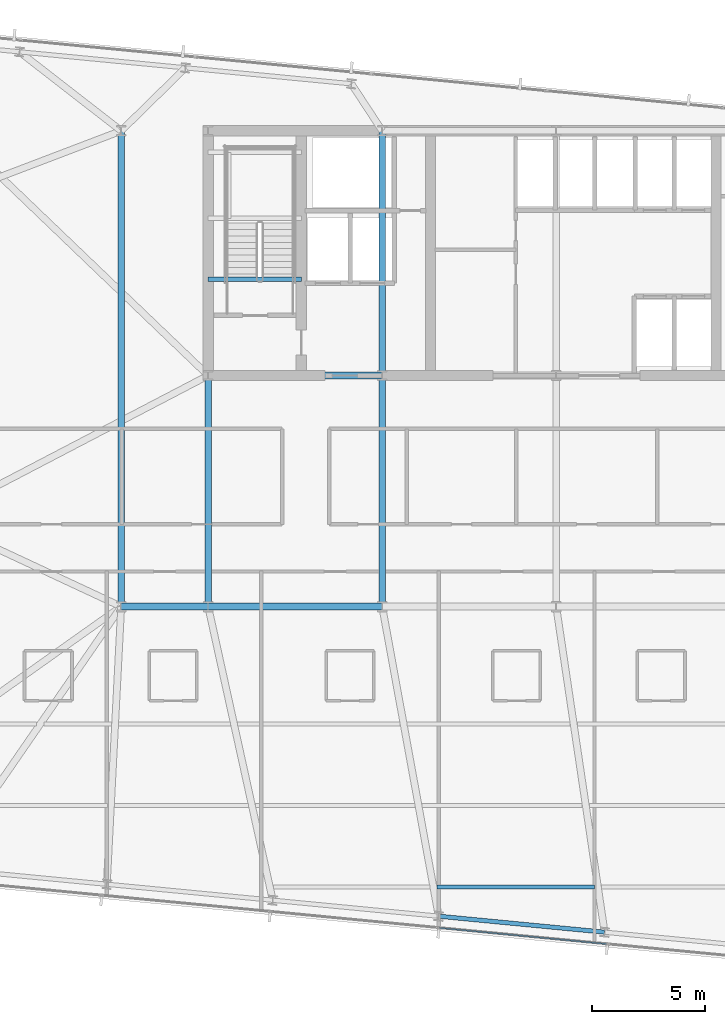
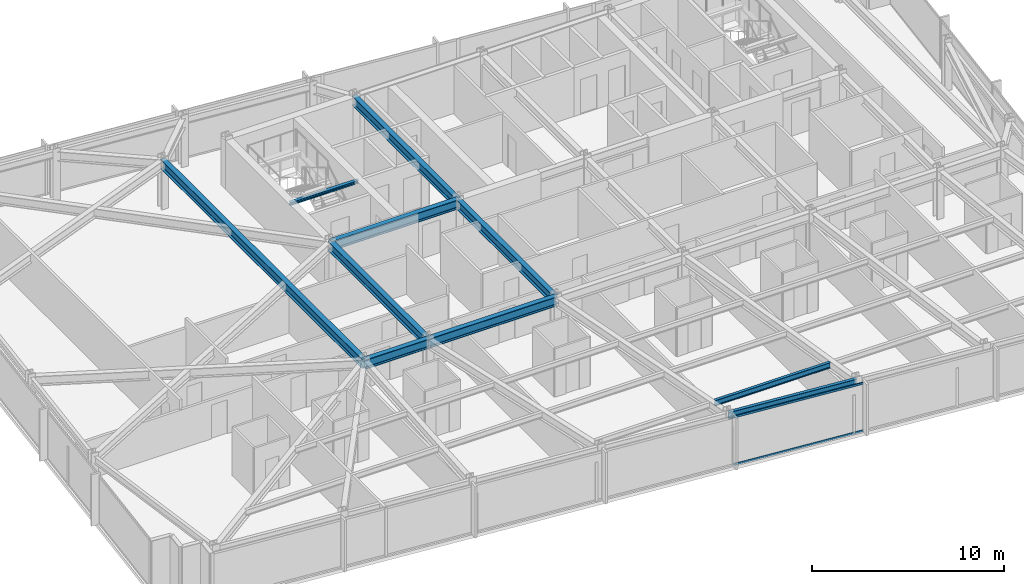
# One storey, part 11 of 37: 10 beams, 2 members, 1 element without a shape of its own.
"""IFC4 building model written with IfcOpenShell, lengths in metres."""

from ifc_helpers import new_model, si_unit, direction, frame, origin, origin_2d, place, context, subcontext, project, spatial, hollow_rectangle, i_section, extrude, material, material_profile, profile_set, type_object, element, aggregate, save


model = new_model("IFC4")

# Units and contexts
model_context = context("Model", 3, precision=1e-05, world=origin(), true_north=direction((0.0, 1.0)))
body_context = subcontext(model_context, "Body", "Model", "MODEL_VIEW")
ifc_project = project(units=[si_unit("LENGTHUNIT", "METRE"), si_unit("AREAUNIT", "SQUARE_METRE"), si_unit("VOLUMEUNIT", "CUBIC_METRE"), si_unit("PLANEANGLEUNIT", "RADIAN"), si_unit("MASSUNIT", "GRAM", prefix="KILO")], contexts=[model_context])

# Site, building, storey
site_placement = place(None, origin())
site = spatial("IfcSite", under=ifc_project, at=site_placement, CompositionType="ELEMENT")
building_placement = place(site_placement, origin())
building = spatial("IfcBuilding", under=site, at=building_placement, Name="Yelkora Congress Tower", CompositionType="ELEMENT")
storey_placement = place(building_placement, frame((0.0, 0.0, 175.39990234375)))
storey = spatial("IfcBuildingStorey", under=building, at=storey_placement, Name="L48", CompositionType="ELEMENT", Elevation=175.39990234375)

# Beams
ifc_material_1 = material(Name="Steel S355J2", Category="steel")
ifc_material_profile_1 = material_profile(ifc_material_1, i_section(OverallWidth=0.300048828125, OverallDepth=0.60009765625, WebThickness=0.015380859375, FlangeThickness=0.030029296875, FilletRadius=0.027099609375, at=origin_2d()), Name="HEB 600")
ifc_profile_set_1 = profile_set([ifc_material_profile_1], Name="Steel S355J2")
beam_type_1 = type_object("IfcBeamType", Name="BM-GIRD-HEB600", PredefinedType="BEAM", material=ifc_profile_set_1)
beam_1_placement = place(storey_placement, frame((19.199951171875, 25.199951171875, 2.780029296875), z_axis=(1.0, 0.0, 0.0), x_axis=(0.0, 1.0, 0.0)))
element("IfcBeam", 1, at=beam_1_placement, inside=storey, type_object=beam_type_1, Name="L48 Spine Grid D Girder 1", PredefinedType="BEAM", context=body_context, shape_type="SweptSolid", body=[
    extrude(i_section(OverallWidth=0.300048828125, OverallDepth=0.60009765625, WebThickness=0.015380859375, FlangeThickness=0.030029296875, FilletRadius=0.027099609375, at=origin_2d()), origin(), (0.0, 0.0, 1.0), 3.840087890625),
])
for number, where, z_axis, x_axis, name in (
    (2, (23.0400390625, 25.199951171875, 2.780029296875), (1.0, 0.0, 0.0), (0.0, 1.0, 0.0), "L48 Spine Grid D Girder 2"),
    (3, (23.0400390625, 35.39990234375, 2.780029296875), (1.0, 0.0, 0.0), (0.0, 1.0, 0.0), "L48 Core South Girder 1"),
):
    element("IfcBeam", number, at=place(storey_placement, frame(where, z_axis=z_axis, x_axis=x_axis)), inside=storey, type_object=beam_type_1, Name=name, PredefinedType="BEAM", context=body_context, shape_type="SweptSolid", body=[
        extrude(i_section(OverallWidth=0.300048828125, OverallDepth=0.60009765625, WebThickness=0.015380859375, FlangeThickness=0.030029296875, FilletRadius=0.027099609375, at=origin_2d()), origin(), (0.0, 0.0, 1.0), 7.679931640625),
    ])
for number, where, z_axis, x_axis, name in (
    (4, (23.0400390625, 25.199951171875, 2.780029296875), (0.0, 1.0, 0.0), (-1.0, 0.0, 0.0), "L48 Core Tie Girder MC-D1"),
    (5, (30.719970703125, 25.199951171875, 2.780029296875), (0.0, 1.0, 0.0), (-1.0, 0.0, 0.0), "L48 Core Tie Girder MC-D2"),
):
    element("IfcBeam", number, at=place(storey_placement, frame(where, z_axis=z_axis, x_axis=x_axis)), inside=storey, type_object=beam_type_1, Name=name, PredefinedType="BEAM", context=body_context, shape_type="SweptSolid", body=[
        extrude(i_section(OverallWidth=0.300048828125, OverallDepth=0.60009765625, WebThickness=0.015380859375, FlangeThickness=0.030029296875, FilletRadius=0.027099609375, at=origin_2d()), origin(), (0.0, 0.0, 1.0), 10.199951171875),
    ])
beam_2_placement = place(storey_placement, frame((30.719970703125, 35.39990234375, 2.780029296875), z_axis=(0.0, 1.0, 0.0), x_axis=(-1.0, 0.0, 0.0)))
element("IfcBeam", 6, at=beam_2_placement, inside=storey, type_object=beam_type_1, Name="L48 Core Tie Girder MC-S2", PredefinedType="BEAM", context=body_context, shape_type="SweptSolid", body=[
    extrude(i_section(OverallWidth=0.300048828125, OverallDepth=0.60009765625, WebThickness=0.015380859375, FlangeThickness=0.030029296875, FilletRadius=0.027099609375, at=origin_2d()), origin(), (0.0, 0.0, 1.0), 10.800048828125),
])
beam_3_placement = place(storey_placement, frame((19.199951171875, 25.199951171875, 2.780029296875), z_axis=(0.0, 1.0, 0.0), x_axis=(-1.0, 0.0, 0.0)))
element("IfcBeam", 7, at=beam_3_placement, inside=storey, type_object=beam_type_1, Name="L48 Neck Flank Girder MC-F1", PredefinedType="BEAM", context=body_context, shape_type="SweptSolid", body=[
    extrude(i_section(OverallWidth=0.300048828125, OverallDepth=0.60009765625, WebThickness=0.015380859375, FlangeThickness=0.030029296875, FilletRadius=0.027099609375, at=origin_2d()), origin(), (0.0, 0.0, 1.0), 21.0),
])
ifc_material_profile_2 = material_profile(ifc_material_1, i_section(OverallWidth=0.169921875, OverallDepth=0.360107421875, WebThickness=0.008056640625, FlangeThickness=0.0126953125, FilletRadius=0.01806640625, at=origin_2d()), Name="IPE 360")
ifc_profile_set_2 = profile_set([ifc_material_profile_2], Name="Steel S355J2")
beam_type_2 = type_object("IfcBeamType", Name="BM-JOIST-IPE360", PredefinedType="JOIST", material=ifc_profile_set_2)
beam_4_placement = place(storey_placement, frame((33.137939453125, 12.8212890625, 2.900146484375), z_axis=(1.0, 0.0, 0.0), x_axis=(0.0, 1.0, 0.0)))
element("IfcBeam", 8, at=beam_4_placement, inside=storey, type_object=beam_type_2, Name="L48 Composite Floor Joist 2", PredefinedType="JOIST", context=body_context, shape_type="SweptSolid", body=[
    extrude(i_section(OverallWidth=0.169921875, OverallDepth=0.360107421875, WebThickness=0.008056640625, FlangeThickness=0.0126953125, FilletRadius=0.01806640625, at=origin_2d()), origin(), (0.0, 0.0, 1.0), 6.94189453125),
])
ifc_material_profile_3 = material_profile(ifc_material_1, i_section(OverallWidth=0.199951171875, OverallDepth=0.18994140625, WebThickness=0.006591796875, FlangeThickness=0.010009765625, FilletRadius=0.01806640625, at=origin_2d()), Name="HEA 200")
ifc_profile_set_3 = profile_set([ifc_material_profile_3], Name="Steel S355J2")
beam_type_3 = type_object("IfcBeamType", Name="BM-LAND-HEA200", PredefinedType="BEAM", material=ifc_profile_set_3)
beam_5_placement = place(storey_placement, frame((23.0400390625, 39.639892578125, 2.85400390625), z_axis=(1.0, 0.0, 0.0), x_axis=(0.0, 1.0, 0.0)))
element("IfcBeam", 9, at=beam_5_placement, inside=storey, type_object=beam_type_3, Name="ST-01 L48 Floor Arrival Stringer Header Beam", PredefinedType="BEAM", context=body_context, shape_type="SweptSolid", body=[
    extrude(i_section(OverallWidth=0.199951171875, OverallDepth=0.18994140625, WebThickness=0.006591796875, FlangeThickness=0.010009765625, FilletRadius=0.01806640625, at=origin_2d()), origin(), (0.0, 0.0, 1.0), 4.10986328125),
])
ifc_material_profile_4 = material_profile(ifc_material_1, i_section(OverallWidth=0.18994140625, OverallDepth=0.449951171875, WebThickness=0.009521484375, FlangeThickness=0.0146484375, FilletRadius=0.02099609375, at=origin_2d()), Name="IPE 450")
ifc_profile_set_4 = profile_set([ifc_material_profile_4], Name="Steel S355J2")
beam_type_4 = type_object("IfcBeamType", Name="BM-SPAN-IPE450", PredefinedType="SPANDREL", material=ifc_profile_set_4)
beam_6_placement = place(storey_placement, frame((33.21240234375, 11.53662109375, 2.85498046875), z_axis=(0.995397104697, -0.095836339457, 0.0), x_axis=(0.095836339457, 0.995397104697, 0.0)))
element("IfcBeam", 10, at=beam_6_placement, inside=storey, type_object=beam_type_4, Name="L48 Perimeter Beam 6", PredefinedType="SPANDREL", context=body_context, shape_type="SweptSolid", body=[
    extrude(i_section(OverallWidth=0.18994140625, OverallDepth=0.449951171875, WebThickness=0.009521484375, FlangeThickness=0.0146484375, FilletRadius=0.02099609375, at=origin_2d()), origin(), (0.0, 0.0, 1.0), 7.357177734375),
])

# Curtain wall, members
ifc_material_2 = material(Name="Anodised aluminium and insulated glass", Category="aluminium")
curtain_wall_type = type_object("IfcCurtainWallType", Name="CW-SYS-B3", PredefinedType="NOTDEFINED", material=ifc_material_2)
curtain_wall_placement = place(storey_placement, origin())
curtain_wall = element("IfcCurtainWall", 11, at=curtain_wall_placement, inside=storey, type_object=curtain_wall_type, Name="L48 Unitised Curtain Wall 20", PredefinedType="NOTDEFINED")
ifc_material_3 = material(Name="Anodised aluminium 6063-T6", Category="aluminium")
ifc_material_profile_5 = material_profile(ifc_material_3, hollow_rectangle(XDim=0.06005859375, YDim=0.1298828125, WallThickness=0.00390625, at=origin_2d()), Name="ALU 60x130x4")
ifc_profile_set_5 = profile_set([ifc_material_profile_5], Name="Anodised aluminium 6063-T6")
member_type = type_object("IfcMemberType", Name="MEM-TR-B3", PredefinedType="USERDEFINED", material=ifc_profile_set_5)
member_1_placement = place(storey_placement, frame((40.626708984375, 10.310302734375, 0.030029296875), z_axis=(-0.99539548672, 0.095853142967, 0.0), x_axis=(-0.095853142967, -0.99539548672, 0.0)))
member_1 = element("IfcMember", 12, at=member_1_placement, type_object=member_type, Name="CW-B3 transom 3.1", ObjectType="TRANSOM", PredefinedType="USERDEFINED", context=body_context, shape_type="SweptSolid", body=[
    extrude(hollow_rectangle(XDim=0.06005859375, YDim=0.1298828125, WallThickness=0.00390625, at=origin_2d()), origin(), (0.0, 0.0, 1.0), 7.404296875),
])
member_2_placement = place(storey_placement, frame((40.626708984375, 10.310302734375, 3.050048828125), z_axis=(-0.99539548672, 0.095853142967, 0.0), x_axis=(-0.095853142967, -0.99539548672, 0.0)))
member_2 = element("IfcMember", 13, at=member_2_placement, type_object=member_type, Name="CW-B3 transom 3.2", ObjectType="TRANSOM", PredefinedType="USERDEFINED", context=body_context, shape_type="SweptSolid", body=[
    extrude(hollow_rectangle(XDim=0.06005859375, YDim=0.1298828125, WallThickness=0.00390625, at=origin_2d()), origin(), (0.0, 0.0, 1.0), 7.404296875),
])
aggregate(curtain_wall, [member_1, member_2])

save(model, "model.ifc")
